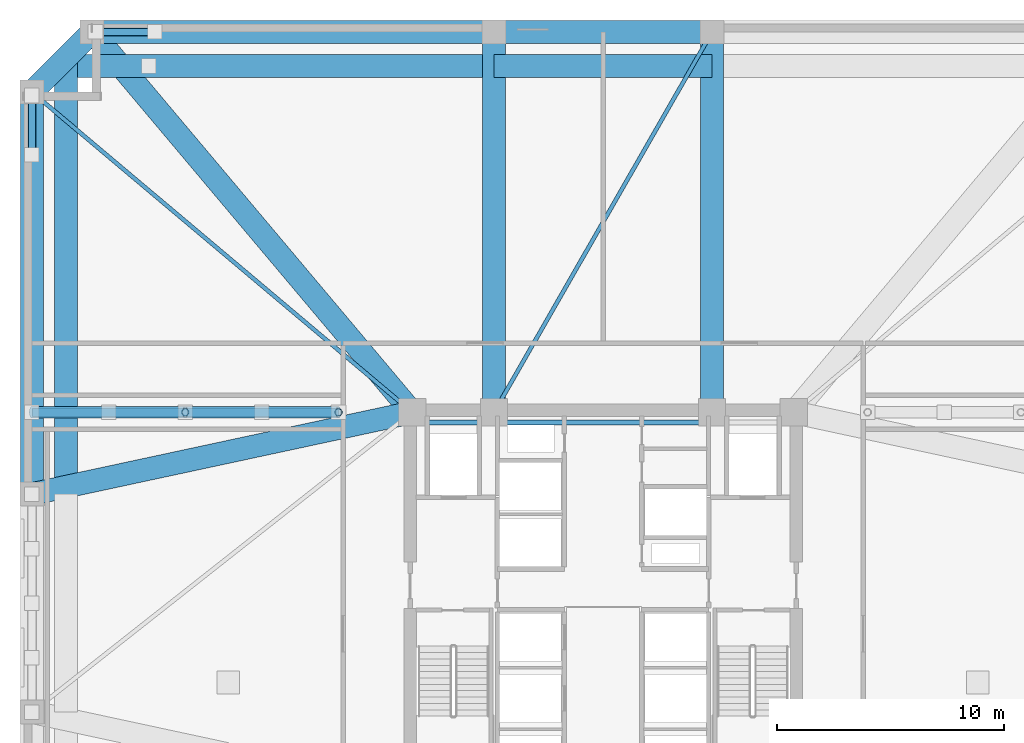
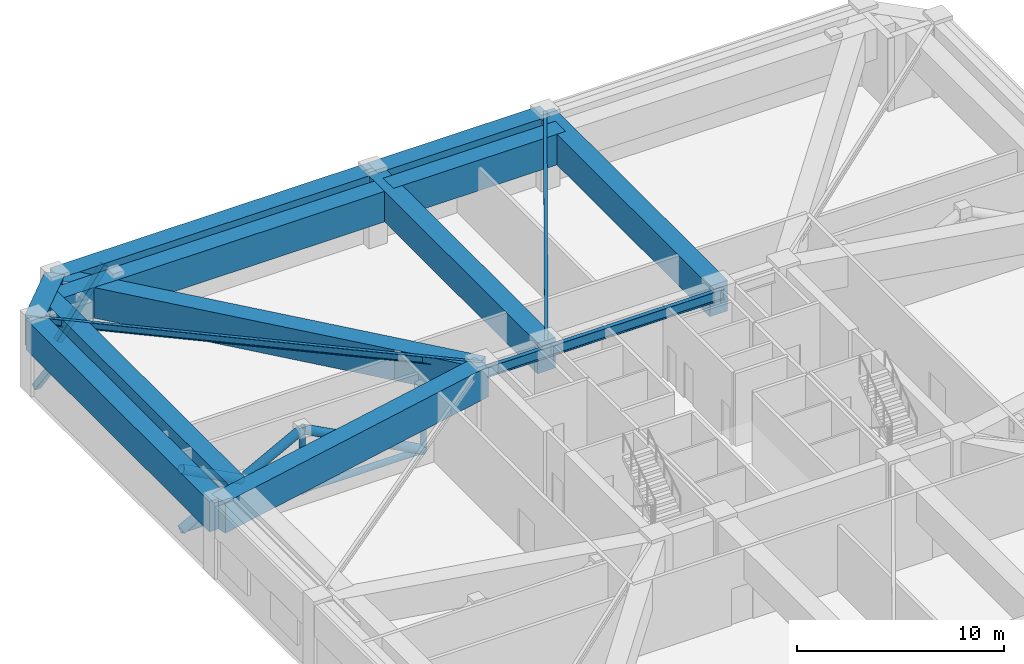
# One storey, part 4 of 13: 15 beams, 11 members.
"""IFC4 building model written with IfcOpenShell, lengths in metres."""

from ifc_helpers import new_model, si_unit, direction, frame, origin, origin_2d, place, context, subcontext, project, spatial, rectangle, hollow_rectangle, hollow_circle, i_section, extrude, material, material_profile, profile_set, type_object, element, save


model = new_model("IFC4")

# Units and contexts
model_context = context("Model", 3, precision=1e-05, world=origin(), true_north=direction((0.0, 1.0)))
body_context = subcontext(model_context, "Body", "Model", "MODEL_VIEW")
ifc_project = project(units=[si_unit("LENGTHUNIT", "METRE"), si_unit("AREAUNIT", "SQUARE_METRE"), si_unit("VOLUMEUNIT", "CUBIC_METRE"), si_unit("PLANEANGLEUNIT", "RADIAN"), si_unit("MASSUNIT", "GRAM", prefix="KILO")], contexts=[model_context])

# Site, building, storey
site_placement = place(None, origin())
site = spatial("IfcSite", under=ifc_project, at=site_placement, CompositionType="ELEMENT")
building_placement = place(site_placement, origin())
building = spatial("IfcBuilding", under=site, at=building_placement, Name="Cairnveth Concourse Tower", CompositionType="ELEMENT")
storey_placement = place(building_placement, frame((0.0, 0.0, 97.0)))
storey = spatial("IfcBuildingStorey", under=building, at=storey_placement, Name="L26", CompositionType="ELEMENT", Elevation=97.0)

# Member
ifc_material_1 = material(Name="Steel C350L0 (350 MPa)", Category="steel")
ifc_material_profile_1 = material_profile(ifc_material_1, hollow_circle(Radius=0.177734375, WallThickness=0.01611328125, at=origin_2d()), Name="355.6x16.0CHS")
ifc_profile_set_1 = profile_set([ifc_material_profile_1], Name="Steel C350L0 (350 MPa)")
member_type_1 = type_object("IfcMemberType", Name="BELT TRUSS CHORD 355.6X16CHS", PredefinedType="CHORD", material=ifc_profile_set_1)
member_1_placement = place(storey_placement, frame((26.85009765625, 47.39990234375, 0.25), z_axis=(1.0, 0.0, 0.0), x_axis=(0.0, 1.0, 0.0)))
element("IfcMember", 1, at=member_1_placement, inside=storey, type_object=member_type_1, Name="Structural Brace OUT-OW2A-CH L26", PredefinedType="CHORD", context=body_context, shape_type="SweptSolid", body=[
    extrude(hollow_circle(Radius=0.177734375, WallThickness=0.01611328125, at=origin_2d()), origin(), (0.0, 0.0, 1.0), 13.5),
])

# Beams
ifc_material_2 = material(Name="Concrete N65 (65 MPa)", Category="concrete")
ifc_material_profile_2 = material_profile(ifc_material_2, rectangle(XDim=1.0, YDim=1.800048828125, at=origin_2d()), Name="RC-TB-1000x1800")
ifc_profile_set_2 = profile_set([ifc_material_profile_2], Name="Concrete N65 (65 MPa)")
beam_type_1 = type_object("IfcBeamType", Name="CONCRETE TRANSFER GIRDER 1000X1800", PredefinedType="BEAM", material=ifc_profile_set_2)
beam_1_placement = place(storey_placement, frame((29.5, 64.14990234375, 3.3798828125), z_axis=(1.0, 0.0, 0.0), x_axis=(0.0, 1.0, 0.0)))
element("IfcBeam", 2, at=beam_1_placement, inside=storey, type_object=beam_type_1, Name="Beam SP-N1 L26", PredefinedType="BEAM", context=body_context, shape_type="SweptSolid", body=[
    extrude(rectangle(XDim=1.0, YDim=1.800048828125, at=origin_2d()), origin(), (0.0, 0.0, 1.0), 17.699951171875),
])
beam_2_placement = place(storey_placement, frame((47.199951171875, 64.14990234375, 3.3798828125), z_axis=(1.0, 0.0, 0.0), x_axis=(0.0, 1.0, 0.0)))
element("IfcBeam", 3, at=beam_2_placement, inside=storey, type_object=beam_type_1, Name="Beam SP-N2 L26", PredefinedType="BEAM", context=body_context, shape_type="SweptSolid", body=[
    extrude(rectangle(XDim=1.0, YDim=1.800048828125, at=origin_2d()), origin(), (0.0, 0.0, 1.0), 9.60009765625),
])
beam_3_placement = place(storey_placement, frame((26.85009765625, 43.800048828125, 3.3798828125), z_axis=(0.0, 1.0, 0.0), x_axis=(-1.0, 0.0, 0.0)))
element("IfcBeam", 4, at=beam_3_placement, inside=storey, type_object=beam_type_1, Name="Beam SP-W3 L26", PredefinedType="BEAM", context=body_context, shape_type="SweptSolid", body=[
    extrude(rectangle(XDim=1.0, YDim=1.800048828125, at=origin_2d()), origin(), (0.0, 0.0, 1.0), 17.699951171875),
])
beam_4_placement = place(storey_placement, frame((26.85009765625, 61.5, 3.3798828125), z_axis=(0.707106781187, 0.707106781187, 0.0), x_axis=(-0.707106781187, 0.707106781187, 0.0)))
element("IfcBeam", 5, at=beam_4_placement, inside=storey, type_object=beam_type_1, Name="Beam SP-NW L26", PredefinedType="BEAM", context=body_context, shape_type="SweptSolid", body=[
    extrude(rectangle(XDim=1.0, YDim=1.800048828125, at=origin_2d()), origin(), (0.0, 0.0, 1.0), 3.74755859375),
])
beam_5_placement = place(storey_placement, frame((29.5, 64.14990234375, 3.3798828125), z_axis=(0.643997697905, -0.765027427674, 0.0), x_axis=(0.765027427674, 0.643997697905, 0.0)))
element("IfcBeam", 6, at=beam_5_placement, inside=storey, type_object=beam_type_1, Name="Beam RG-CNW L26", PredefinedType="BEAM", context=body_context, shape_type="SweptSolid", body=[
    extrude(rectangle(XDim=1.0, YDim=1.800048828125, at=origin_2d()), origin(), (0.0, 0.0, 1.0), 21.89453125),
])
for number, where, z_axis, x_axis, name in (
    (7, (47.199951171875, 47.39990234375, 3.3798828125), (0.0, 1.0, 0.0), (-1.0, 0.0, 0.0), "Beam RG-N1 L26"),
    (8, (56.800048828125, 47.39990234375, 3.3798828125), (0.0, 1.0, 0.0), (-1.0, 0.0, 0.0), "Beam RG-N2 L26"),
):
    element("IfcBeam", number, at=place(storey_placement, frame(where, z_axis=z_axis, x_axis=x_axis)), inside=storey, type_object=beam_type_1, Name=name, PredefinedType="BEAM", context=body_context, shape_type="SweptSolid", body=[
        extrude(rectangle(XDim=1.0, YDim=1.800048828125, at=origin_2d()), origin(), (0.0, 0.0, 1.0), 16.75),
    ])
beam_6_placement = place(storey_placement, frame((26.85009765625, 43.800048828125, 3.3798828125), z_axis=(0.977675861524, 0.210118799239, 0.0), x_axis=(-0.210118799239, 0.977675861524, 0.0)))
element("IfcBeam", 9, at=beam_6_placement, inside=storey, type_object=beam_type_1, Name="Beam RG-W2 L26", PredefinedType="BEAM", context=body_context, shape_type="SweptSolid", body=[
    extrude(rectangle(XDim=1.0, YDim=1.800048828125, at=origin_2d()), origin(), (0.0, 0.0, 1.0), 17.132568359375),
])
beam_7_placement = place(storey_placement, frame((28.0, 62.64990234375, 3.3798828125), z_axis=(1.0, 0.0, 0.0), x_axis=(0.0, 1.0, 0.0)))
element("IfcBeam", 10, at=beam_7_placement, inside=storey, type_object=beam_type_1, Name="Beam STG-N1 L26", PredefinedType="BEAM", context=body_context, shape_type="SweptSolid", body=[
    extrude(rectangle(XDim=1.0, YDim=1.800048828125, at=origin_2d()), origin(), (0.0, 0.0, 1.0), 19.199951171875),
])
beam_8_placement = place(storey_placement, frame((47.199951171875, 62.64990234375, 3.3798828125), z_axis=(1.0, 0.0, 0.0), x_axis=(0.0, 1.0, 0.0)))
element("IfcBeam", 11, at=beam_8_placement, inside=storey, type_object=beam_type_1, Name="Beam STG-N2 L26", PredefinedType="BEAM", context=body_context, shape_type="SweptSolid", body=[
    extrude(rectangle(XDim=1.0, YDim=1.800048828125, at=origin_2d()), origin(), (0.0, 0.0, 1.0), 9.60009765625),
])
beam_9_placement = place(storey_placement, frame((28.35009765625, 43.800048828125, 3.3798828125), z_axis=(0.0, 1.0, 0.0), x_axis=(-1.0, 0.0, 0.0)))
element("IfcBeam", 12, at=beam_9_placement, inside=storey, type_object=beam_type_1, Name="Beam STG-W3 L26", PredefinedType="BEAM", context=body_context, shape_type="SweptSolid", body=[
    extrude(rectangle(XDim=1.0, YDim=1.800048828125, at=origin_2d()), origin(), (0.0, 0.0, 1.0), 19.199951171875),
])
ifc_material_3 = material(Name="Steel Grade 350", Category="steel")
ifc_material_profile_3 = material_profile(ifc_material_3, i_section(OverallWidth=0.22802734375, OverallDepth=0.60693359375, WebThickness=0.01123046875, FlangeThickness=0.017333984375, FilletRadius=0.013916015625, at=origin_2d()), Name="610UB113")
ifc_profile_set_3 = profile_set([ifc_material_profile_3], Name="Steel Grade 350")
beam_type_2 = type_object("IfcBeamType", Name="CORE TIE BEAM 610UB113", PredefinedType="T_BEAM", material=ifc_profile_set_3)
beam_10_placement = place(storey_placement, frame((43.60009765625, 46.949951171875, 3.9765625), z_axis=(1.0, 0.0, 0.0), x_axis=(0.0, 1.0, 0.0)))
element("IfcBeam", 13, at=beam_10_placement, inside=storey, type_object=beam_type_2, Name="Beam CT-N1 L26", PredefinedType="T_BEAM", context=body_context, shape_type="SweptSolid", body=[
    extrude(i_section(OverallWidth=0.22802734375, OverallDepth=0.60693359375, WebThickness=0.01123046875, FlangeThickness=0.017333984375, FilletRadius=0.013916015625, at=origin_2d()), origin(), (0.0, 0.0, 1.0), 3.599853515625),
])
beam_11_placement = place(storey_placement, frame((47.199951171875, 46.949951171875, 3.9765625), z_axis=(1.0, 0.0, 0.0), x_axis=(0.0, 1.0, 0.0)))
element("IfcBeam", 14, at=beam_11_placement, inside=storey, type_object=beam_type_2, Name="Beam CT-N2 L26", PredefinedType="T_BEAM", context=body_context, shape_type="SweptSolid", body=[
    extrude(i_section(OverallWidth=0.22802734375, OverallDepth=0.60693359375, WebThickness=0.01123046875, FlangeThickness=0.017333984375, FilletRadius=0.013916015625, at=origin_2d()), origin(), (0.0, 0.0, 1.0), 9.60009765625),
])

# Members
ifc_material_profile_4 = material_profile(ifc_material_1, hollow_circle(Radius=0.25390625, WallThickness=0.01611328125, at=origin_2d()), Name="508.0x16.0CHS")
ifc_profile_set_4 = profile_set([ifc_material_profile_4], Name="Steel C350L0 (350 MPa)")
member_type_2 = type_object("IfcMemberType", Name="OUTRIGGER DIAGONAL 508X16CHS", PredefinedType="BRACE", material=ifc_profile_set_4)
member_2_placement = place(storey_placement, frame((26.85009765625, 47.39990234375, 0.25), z_axis=(0.883433244898, 0.0, 0.468557042216), x_axis=(0.0, 1.0, 0.0)))
element("IfcMember", 15, at=member_2_placement, inside=storey, type_object=member_type_2, Name="Structural Brace OUT-OW2A-P1A L26", PredefinedType="BRACE", context=body_context, shape_type="SweptSolid", body=[
    extrude(hollow_circle(Radius=0.25390625, WallThickness=0.01611328125, at=origin_2d()), origin(), (0.0, 0.0, 1.0), 7.640625),
])
member_3_placement = place(storey_placement, frame((26.85009765625, 47.39990234375, 3.830078125), z_axis=(0.88342870315, 0.0, -0.46856560528), x_axis=(0.0, 1.0, 0.0)))
element("IfcMember", 16, at=member_3_placement, inside=storey, type_object=member_type_2, Name="Structural Brace OUT-OW2A-P1B1 L26", PredefinedType="BRACE", context=body_context, shape_type="SweptSolid", body=[
    extrude(hollow_circle(Radius=0.25390625, WallThickness=0.01611328125, at=origin_2d()), origin(), (0.0, 0.0, 1.0), 3.80517578125),
])
member_4_placement = place(storey_placement, frame((30.23828125, 47.39990234375, 2.032958984375), z_axis=(0.883442788673, 0.0, -0.468539047617), x_axis=(0.0, 1.0, 0.0)))
element("IfcMember", 17, at=member_4_placement, inside=storey, type_object=member_type_2, Name="Structural Brace OUT-OW2A-P1B2 L26", PredefinedType="BRACE", context=body_context, shape_type="SweptSolid", body=[
    extrude(hollow_circle(Radius=0.25390625, WallThickness=0.01611328125, at=origin_2d()), origin(), (0.0, 0.0, 1.0), 3.805419921875),
])
member_5_placement = place(storey_placement, frame((33.60009765625, 47.39990234375, 0.25), z_axis=(0.883433244898, 0.0, 0.468557042216), x_axis=(0.0, 1.0, 0.0)))
element("IfcMember", 18, at=member_5_placement, inside=storey, type_object=member_type_2, Name="Structural Brace OUT-OW2A-P2A L26", PredefinedType="BRACE", context=body_context, shape_type="SweptSolid", body=[
    extrude(hollow_circle(Radius=0.25390625, WallThickness=0.01611328125, at=origin_2d()), origin(), (0.0, 0.0, 1.0), 7.640625),
])
member_6_placement = place(storey_placement, frame((33.60009765625, 47.39990234375, 3.830078125), z_axis=(0.88342870315, 0.0, -0.46856560528), x_axis=(0.0, 1.0, 0.0)))
element("IfcMember", 19, at=member_6_placement, inside=storey, type_object=member_type_2, Name="Structural Brace OUT-OW2A-P2B1 L26", PredefinedType="BRACE", context=body_context, shape_type="SweptSolid", body=[
    extrude(hollow_circle(Radius=0.25390625, WallThickness=0.01611328125, at=origin_2d()), origin(), (0.0, 0.0, 1.0), 3.80517578125),
])
member_7_placement = place(storey_placement, frame((36.98828125, 47.39990234375, 2.032958984375), z_axis=(0.883442788673, 0.0, -0.468539047617), x_axis=(0.0, 1.0, 0.0)))
element("IfcMember", 20, at=member_7_placement, inside=storey, type_object=member_type_2, Name="Structural Brace OUT-OW2A-P2B2 L26", PredefinedType="BRACE", context=body_context, shape_type="SweptSolid", body=[
    extrude(hollow_circle(Radius=0.25390625, WallThickness=0.01611328125, at=origin_2d()), origin(), (0.0, 0.0, 1.0), 3.805419921875),
])
ifc_material_profile_5 = material_profile(ifc_material_1, hollow_circle(Radius=0.161865234375, WallThickness=0.0126953125, at=origin_2d()), Name="323.9x12.7CHS")
ifc_profile_set_5 = profile_set([ifc_material_profile_5], Name="Steel C350L0 (350 MPa)")
member_type_3 = type_object("IfcMemberType", Name="OUTRIGGER KING STRUT 323.9X12.7CHS", PredefinedType="STRUT", material=ifc_profile_set_5)
for number, where, z_axis, x_axis, name in (
    (21, (33.60009765625, 47.39990234375, 0.25), (0.0, 0.0, 1.0), (1.0, 0.0, 0.0), "Structural Brace OUT-OW2A-SR L26"),
    (22, (40.35009765625, 47.39990234375, 0.25), (0.0, 0.0, 1.0), (1.0, 0.0, 0.0), "Structural Brace OUT-OW2A-SRE L26"),
):
    element("IfcMember", number, at=place(storey_placement, frame(where, z_axis=z_axis, x_axis=x_axis)), inside=storey, type_object=member_type_3, Name=name, PredefinedType="STRUT", context=body_context, shape_type="SweptSolid", body=[
        extrude(hollow_circle(Radius=0.161865234375, WallThickness=0.0126953125, at=origin_2d()), origin(), (0.0, 0.0, 1.0), 3.580078125),
    ])

# Beams
ifc_material_profile_6 = material_profile(ifc_material_3, i_section(OverallWidth=0.177978515625, OverallDepth=0.406005859375, WebThickness=0.0078125, FlangeThickness=0.0126953125, FilletRadius=0.010986328125, at=origin_2d()), Name="410UB59.7")
ifc_profile_set_6 = profile_set([ifc_material_profile_6], Name="Steel Grade 350")
beam_type_3 = type_object("IfcBeamType", Name="ZONE 1 FLOOR JOIST 410UB59.7", PredefinedType="JOIST", material=ifc_profile_set_6)
beam_12_placement = place(storey_placement, frame((26.85009765625, 61.5, 4.076904296875), z_axis=(0.765027427674, -0.643997697905, 0.0), x_axis=(0.643997697905, 0.765027427674, 0.0)))
element("IfcBeam", 23, at=beam_12_placement, inside=storey, type_object=beam_type_3, Name="Beam FJ-CNW2 L26", PredefinedType="JOIST", context=body_context, shape_type="SweptSolid", body=[
    extrude(i_section(OverallWidth=0.177978515625, OverallDepth=0.406005859375, WebThickness=0.0078125, FlangeThickness=0.0126953125, FilletRadius=0.010986328125, at=origin_2d()), origin(), (0.0, 0.0, 1.0), 21.89453125),
])
beam_13_placement = place(storey_placement, frame((47.199951171875, 47.39990234375, 4.076904296875), z_axis=(0.497257970706, 0.86760273776, 0.0), x_axis=(-0.86760273776, 0.497257970706, 0.0)))
element("IfcBeam", 24, at=beam_13_placement, inside=storey, type_object=beam_type_3, Name="Beam FJ-N-M1 L26", PredefinedType="JOIST", context=body_context, shape_type="SweptSolid", body=[
    extrude(i_section(OverallWidth=0.177978515625, OverallDepth=0.406005859375, WebThickness=0.0078125, FlangeThickness=0.0126953125, FilletRadius=0.010986328125, at=origin_2d()), origin(), (0.0, 0.0, 1.0), 19.30615234375),
])

# Members
ifc_material_profile_7 = material_profile(ifc_material_1, hollow_rectangle(XDim=0.35009765625, YDim=0.35009765625, WallThickness=0.01611328125, InnerFilletRadius=0.01611328125, OuterFilletRadius=0.031982421875, at=origin_2d()), Name="350x350x16.0SHS")
ifc_profile_set_7 = profile_set([ifc_material_profile_7], Name="Steel C350L0 (350 MPa)")
member_type_4 = type_object("IfcMemberType", Name="ZONE 1 PIER BRACE 350X350X16SHS", PredefinedType="BRACE", material=ifc_profile_set_7)
for number, where, z_axis, x_axis, name in (
    (25, (29.64990234375, 64.14990234375, 0.25), (0.587640077388, 0.0, 0.809122450218), (0.0, 1.0, 0.0), "Structural Brace PB-N1 L26"),
    (26, (26.85009765625, 61.35009765625, 0.25), (0.0, -0.587640077388, 0.809122450218), (1.0, 0.0, 0.0), "Structural Brace PB-W2 L26"),
):
    element("IfcMember", number, at=place(storey_placement, frame(where, z_axis=z_axis, x_axis=x_axis)), inside=storey, type_object=member_type_4, Name=name, PredefinedType="BRACE", context=body_context, shape_type="SweptSolid", body=[
        extrude(hollow_rectangle(XDim=0.35009765625, YDim=0.35009765625, WallThickness=0.01611328125, InnerFilletRadius=0.01611328125, OuterFilletRadius=0.031982421875, at=origin_2d()), origin(), (0.0, 0.0, 1.0), 4.424560546875),
    ])

save(model, "model.ifc")
